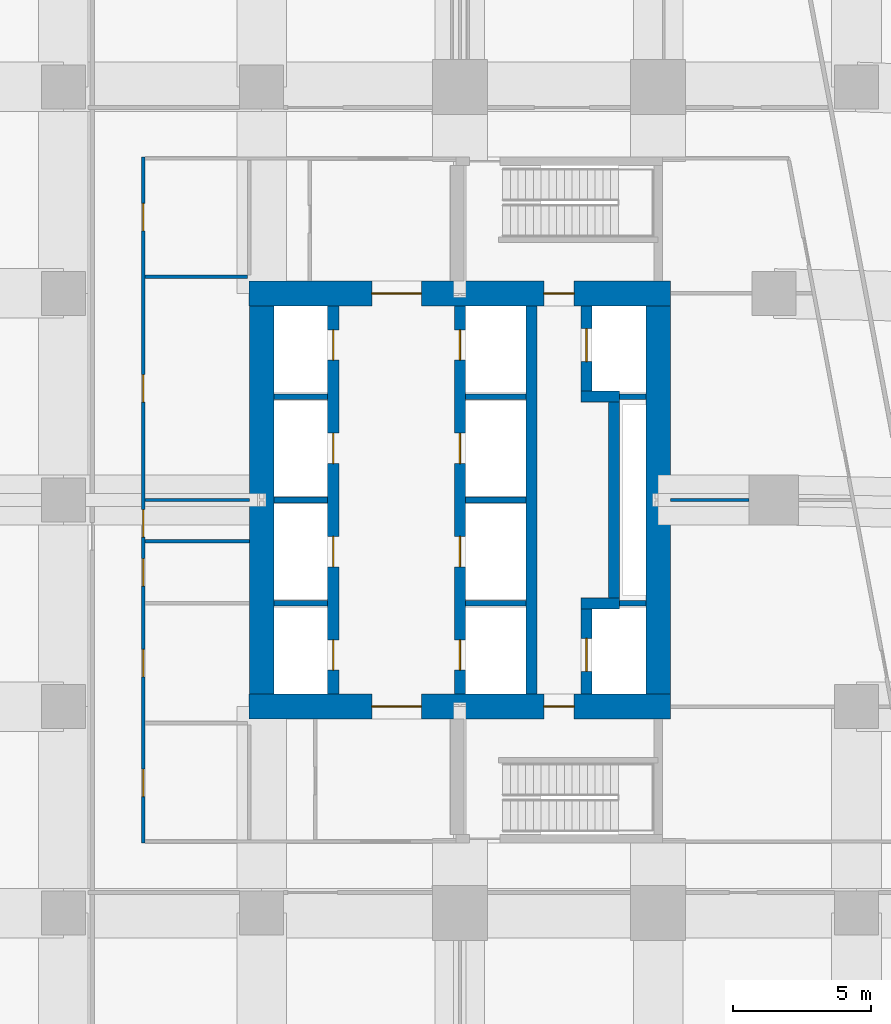
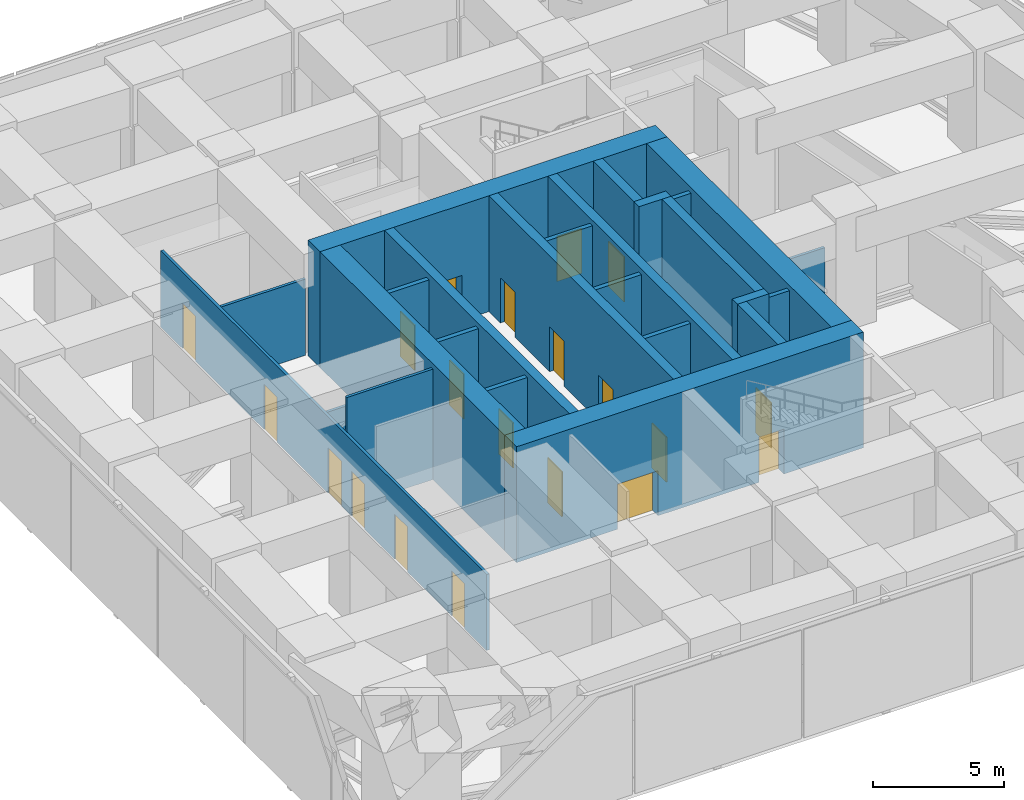
# One storey, part 5 of 10: 25 walls, 20 doors, 20 openings.
"""IFC4 building model written with IfcOpenShell, lengths in metres."""

from ifc_helpers import new_model, si_unit, direction, frame, frame_2d, origin, place, context, subcontext, project, spatial, rectangle, extrude, material, layer, layer_set, type_object, element, fill, save


model = new_model("IFC4")

# Units and contexts
model_context = context("Model", 3, precision=1e-05, world=origin(), true_north=direction((0.0, 1.0)))
body_context = subcontext(model_context, "Body", "Model", "MODEL_VIEW")
ifc_project = project(units=[si_unit("LENGTHUNIT", "METRE"), si_unit("AREAUNIT", "SQUARE_METRE"), si_unit("VOLUMEUNIT", "CUBIC_METRE"), si_unit("PLANEANGLEUNIT", "RADIAN"), si_unit("MASSUNIT", "GRAM", prefix="KILO")], contexts=[model_context])

# Site, building, storey
site_placement = place(None, origin())
site = spatial("IfcSite", under=ifc_project, at=site_placement, CompositionType="ELEMENT")
building_placement = place(site_placement, origin())
building = spatial("IfcBuilding", under=site, at=building_placement, Name="Sheger Commons Tower", CompositionType="ELEMENT")
storey_placement = place(building_placement, frame((0.0, 0.0, 130.39990234375)))
storey = spatial("IfcBuildingStorey", under=building, at=storey_placement, Name="L33", CompositionType="ELEMENT", Elevation=130.39990234375)

# Wall, openings, doors
ifc_material_1 = material(Name="Concrete C50/60", Category="concrete")
ifc_layer_1 = layer(ifc_material_1, 0.39990234375)
ifc_layer_set_1 = layer_set([ifc_layer_1], Name="CORE INNER WALL 400")
wall_type_1 = type_object("IfcWallType", Name="CORE INNER WALL 400", PredefinedType="SHEAR", material=ifc_layer_set_1)
wall_1_placement = place(storey_placement, frame((17.0, 15.449951171875, 0.0), z_axis=(0.0, 0.0, 1.0), x_axis=(0.0, 1.0, 0.0)))
wall_1 = element("IfcWall", 1, at=wall_1_placement, inside=storey, type_object=wall_type_1, Name="Core inner wall A L33", PredefinedType="SHEAR", context=body_context, shape_type="SweptSolid", body=[
    extrude(rectangle(XDim=14.10009765625, YDim=0.39990234375, at=frame_2d((7.050048828125, 0.0))), origin(), (0.0, 0.0, 1.0), 5.400146484375),
])
opening_1_placement = place(wall_1_placement, frame((0.875, 0.0, 0.0)))
opening_1 = element("IfcOpeningElement", 2, at=opening_1_placement, cuts=wall_1, Name="Opening LD", PredefinedType="OPENING", context=body_context, shape_type="SweptSolid", body=[
    extrude(rectangle(XDim=1.10009765625, YDim=2.10009765625, at=frame_2d((0.550048828125, 1.050048828125))), frame((0.0, 0.2099609375, 0.0), z_axis=(0.0, -1.0, 0.0), x_axis=(1.0, 0.0, 0.0)), (0.0, 0.0, 1.0), 0.419921875),
])
opening_2_placement = place(wall_1_placement, frame((4.625, 0.0, 0.0)))
opening_2 = element("IfcOpeningElement", 3, at=opening_2_placement, cuts=wall_1, Name="Opening LD", PredefinedType="OPENING", context=body_context, shape_type="SweptSolid", body=[
    extrude(rectangle(XDim=1.10009765625, YDim=2.10009765625, at=frame_2d((0.550048828125, 1.050048828125))), frame((0.0, 0.2099609375, 0.0), z_axis=(0.0, -1.0, 0.0), x_axis=(1.0, 0.0, 0.0)), (0.0, 0.0, 1.0), 0.419921875),
])
opening_3_placement = place(wall_1_placement, frame((8.375, 0.0, 0.0)))
opening_3 = element("IfcOpeningElement", 4, at=opening_3_placement, cuts=wall_1, Name="Opening LD", PredefinedType="OPENING", context=body_context, shape_type="SweptSolid", body=[
    extrude(rectangle(XDim=1.10009765625, YDim=2.10009765625, at=frame_2d((0.550048828125, 1.050048828125))), frame((0.0, 0.2099609375, 0.0), z_axis=(0.0, -1.0, 0.0), x_axis=(1.0, 0.0, 0.0)), (0.0, 0.0, 1.0), 0.419921875),
])
opening_4_placement = place(wall_1_placement, frame((12.125, 0.0, 0.0)))
opening_4 = element("IfcOpeningElement", 5, at=opening_4_placement, cuts=wall_1, Name="Opening LD", PredefinedType="OPENING", context=body_context, shape_type="SweptSolid", body=[
    extrude(rectangle(XDim=1.10009765625, YDim=2.10009765625, at=frame_2d((0.550048828125, 1.050048828125))), frame((0.0, 0.2099609375, 0.0), z_axis=(0.0, -1.0, 0.0), x_axis=(1.0, 0.0, 0.0)), (0.0, 0.0, 1.0), 0.419921875),
])
ifc_material_2 = material(Name="Steel door set, fire rated", Category="steel")
door_type_1 = type_object("IfcDoorType", Name="LIFT LANDING DOOR 1100x2100", OperationType="DOUBLE_DOOR_SLIDING", PredefinedType="DOOR", material=ifc_material_2)
door_1_placement = place(opening_1_placement, origin())
door_1 = element("IfcDoor", 6, at=door_1_placement, inside=storey, type_object=door_type_1, Name="Lift LA1 landing door", OperationType="DOUBLE_DOOR_SLIDING", OverallHeight=2.10009765625, OverallWidth=1.10009765625, PredefinedType="DOOR", context=body_context, shape_type="SweptSolid", body=[
    extrude(rectangle(XDim=1.10009765625, YDim=2.10009765625, at=frame_2d((0.550048828125, 1.050048828125))), frame((0.0, 0.02490234375, 0.0), z_axis=(0.0, -1.0, 0.0), x_axis=(1.0, 0.0, 0.0)), (0.0, 0.0, 1.0), 0.050048828125),
])
fill(opening_1, door_1)
door_2_placement = place(opening_2_placement, origin())
door_2 = element("IfcDoor", 7, at=door_2_placement, inside=storey, type_object=door_type_1, Name="Lift LA2 landing door", OperationType="DOUBLE_DOOR_SLIDING", OverallHeight=2.10009765625, OverallWidth=1.10009765625, PredefinedType="DOOR", context=body_context, shape_type="SweptSolid", body=[
    extrude(rectangle(XDim=1.10009765625, YDim=2.10009765625, at=frame_2d((0.550048828125, 1.050048828125))), frame((0.0, 0.02490234375, 0.0), z_axis=(0.0, -1.0, 0.0), x_axis=(1.0, 0.0, 0.0)), (0.0, 0.0, 1.0), 0.050048828125),
])
fill(opening_2, door_2)
door_3_placement = place(opening_3_placement, origin())
door_3 = element("IfcDoor", 8, at=door_3_placement, inside=storey, type_object=door_type_1, Name="Lift LA3 landing door", OperationType="DOUBLE_DOOR_SLIDING", OverallHeight=2.10009765625, OverallWidth=1.10009765625, PredefinedType="DOOR", context=body_context, shape_type="SweptSolid", body=[
    extrude(rectangle(XDim=1.10009765625, YDim=2.10009765625, at=frame_2d((0.550048828125, 1.050048828125))), frame((0.0, 0.02490234375, 0.0), z_axis=(0.0, -1.0, 0.0), x_axis=(1.0, 0.0, 0.0)), (0.0, 0.0, 1.0), 0.050048828125),
])
fill(opening_3, door_3)
door_4_placement = place(opening_4_placement, origin())
door_4 = element("IfcDoor", 9, at=door_4_placement, inside=storey, type_object=door_type_1, Name="Lift LA4 landing door", OperationType="DOUBLE_DOOR_SLIDING", OverallHeight=2.10009765625, OverallWidth=1.10009765625, PredefinedType="DOOR", context=body_context, shape_type="SweptSolid", body=[
    extrude(rectangle(XDim=1.10009765625, YDim=2.10009765625, at=frame_2d((0.550048828125, 1.050048828125))), frame((0.0, 0.02490234375, 0.0), z_axis=(0.0, -1.0, 0.0), x_axis=(1.0, 0.0, 0.0)), (0.0, 0.0, 1.0), 0.050048828125),
])
fill(opening_4, door_4)

wall_2_placement = place(storey_placement, frame((21.60009765625, 15.449951171875, 0.0), z_axis=(0.0, 0.0, 1.0), x_axis=(0.0, 1.0, 0.0)))
wall_2 = element("IfcWall", 10, at=wall_2_placement, inside=storey, type_object=wall_type_1, Name="Core inner wall L L33", PredefinedType="SHEAR", context=body_context, shape_type="SweptSolid", body=[
    extrude(rectangle(XDim=14.10009765625, YDim=0.39990234375, at=frame_2d((7.050048828125, 0.0))), origin(), (0.0, 0.0, 1.0), 5.400146484375),
])
opening_5_placement = place(wall_2_placement, frame((0.875, 0.0, 0.0)))
opening_5 = element("IfcOpeningElement", 11, at=opening_5_placement, cuts=wall_2, Name="Opening LD", PredefinedType="OPENING", context=body_context, shape_type="SweptSolid", body=[
    extrude(rectangle(XDim=1.10009765625, YDim=2.10009765625, at=frame_2d((0.550048828125, 1.050048828125))), frame((0.0, 0.2099609375, 0.0), z_axis=(0.0, -1.0, 0.0), x_axis=(1.0, 0.0, 0.0)), (0.0, 0.0, 1.0), 0.419921875),
])
opening_6_placement = place(wall_2_placement, frame((4.625, 0.0, 0.0)))
opening_6 = element("IfcOpeningElement", 12, at=opening_6_placement, cuts=wall_2, Name="Opening LD", PredefinedType="OPENING", context=body_context, shape_type="SweptSolid", body=[
    extrude(rectangle(XDim=1.10009765625, YDim=2.10009765625, at=frame_2d((0.550048828125, 1.050048828125))), frame((0.0, 0.2099609375, 0.0), z_axis=(0.0, -1.0, 0.0), x_axis=(1.0, 0.0, 0.0)), (0.0, 0.0, 1.0), 0.419921875),
])
opening_7_placement = place(wall_2_placement, frame((8.375, 0.0, 0.0)))
opening_7 = element("IfcOpeningElement", 13, at=opening_7_placement, cuts=wall_2, Name="Opening LD", PredefinedType="OPENING", context=body_context, shape_type="SweptSolid", body=[
    extrude(rectangle(XDim=1.10009765625, YDim=2.10009765625, at=frame_2d((0.550048828125, 1.050048828125))), frame((0.0, 0.2099609375, 0.0), z_axis=(0.0, -1.0, 0.0), x_axis=(1.0, 0.0, 0.0)), (0.0, 0.0, 1.0), 0.419921875),
])
opening_8_placement = place(wall_2_placement, frame((12.125, 0.0, 0.0)))
opening_8 = element("IfcOpeningElement", 14, at=opening_8_placement, cuts=wall_2, Name="Opening LD", PredefinedType="OPENING", context=body_context, shape_type="SweptSolid", body=[
    extrude(rectangle(XDim=1.10009765625, YDim=2.10009765625, at=frame_2d((0.550048828125, 1.050048828125))), frame((0.0, 0.2099609375, 0.0), z_axis=(0.0, -1.0, 0.0), x_axis=(1.0, 0.0, 0.0)), (0.0, 0.0, 1.0), 0.419921875),
])
door_5_placement = place(opening_5_placement, origin())
door_5 = element("IfcDoor", 15, at=door_5_placement, inside=storey, type_object=door_type_1, Name="Lift LB1 landing door", OperationType="DOUBLE_DOOR_SLIDING", OverallHeight=2.10009765625, OverallWidth=1.10009765625, PredefinedType="DOOR", context=body_context, shape_type="SweptSolid", body=[
    extrude(rectangle(XDim=1.10009765625, YDim=2.10009765625, at=frame_2d((0.550048828125, 1.050048828125))), frame((0.0, 0.02490234375, 0.0), z_axis=(0.0, -1.0, 0.0), x_axis=(1.0, 0.0, 0.0)), (0.0, 0.0, 1.0), 0.050048828125),
])
fill(opening_5, door_5)
door_6_placement = place(opening_6_placement, origin())
door_6 = element("IfcDoor", 16, at=door_6_placement, inside=storey, type_object=door_type_1, Name="Lift LB2 landing door", OperationType="DOUBLE_DOOR_SLIDING", OverallHeight=2.10009765625, OverallWidth=1.10009765625, PredefinedType="DOOR", context=body_context, shape_type="SweptSolid", body=[
    extrude(rectangle(XDim=1.10009765625, YDim=2.10009765625, at=frame_2d((0.550048828125, 1.050048828125))), frame((0.0, 0.02490234375, 0.0), z_axis=(0.0, -1.0, 0.0), x_axis=(1.0, 0.0, 0.0)), (0.0, 0.0, 1.0), 0.050048828125),
])
fill(opening_6, door_6)
door_7_placement = place(opening_7_placement, origin())
door_7 = element("IfcDoor", 17, at=door_7_placement, inside=storey, type_object=door_type_1, Name="Lift LB3 landing door", OperationType="DOUBLE_DOOR_SLIDING", OverallHeight=2.10009765625, OverallWidth=1.10009765625, PredefinedType="DOOR", context=body_context, shape_type="SweptSolid", body=[
    extrude(rectangle(XDim=1.10009765625, YDim=2.10009765625, at=frame_2d((0.550048828125, 1.050048828125))), frame((0.0, 0.02490234375, 0.0), z_axis=(0.0, -1.0, 0.0), x_axis=(1.0, 0.0, 0.0)), (0.0, 0.0, 1.0), 0.050048828125),
])
fill(opening_7, door_7)
door_8_placement = place(opening_8_placement, origin())
door_8 = element("IfcDoor", 18, at=door_8_placement, inside=storey, type_object=door_type_1, Name="Lift LB4 landing door", OperationType="DOUBLE_DOOR_SLIDING", OverallHeight=2.10009765625, OverallWidth=1.10009765625, PredefinedType="DOOR", context=body_context, shape_type="SweptSolid", body=[
    extrude(rectangle(XDim=1.10009765625, YDim=2.10009765625, at=frame_2d((0.550048828125, 1.050048828125))), frame((0.0, 0.02490234375, 0.0), z_axis=(0.0, -1.0, 0.0), x_axis=(1.0, 0.0, 0.0)), (0.0, 0.0, 1.0), 0.050048828125),
])
fill(opening_8, door_8)

# Wall
wall_3_placement = place(storey_placement, frame((24.199951171875, 15.449951171875, 0.0), z_axis=(0.0, 0.0, 1.0), x_axis=(0.0, 1.0, 0.0)))
element("IfcWall", 19, at=wall_3_placement, inside=storey, type_object=wall_type_1, Name="Core inner wall B L33", PredefinedType="SHEAR", context=body_context, shape_type="SweptSolid", body=[
    extrude(rectangle(XDim=14.10009765625, YDim=0.39990234375, at=frame_2d((7.050048828125, 0.0))), origin(), (0.0, 0.0, 1.0), 5.400146484375),
])

# Wall, opening, door
wall_4_placement = place(storey_placement, frame((26.199951171875, 15.449951171875, 0.0), z_axis=(0.0, 0.0, 1.0), x_axis=(0.0, 1.0, 0.0)))
wall_4 = element("IfcWall", 20, at=wall_4_placement, inside=storey, type_object=wall_type_1, Name="Core inner wall F L33", PredefinedType="SHEAR", context=body_context, shape_type="SweptSolid", body=[
    extrude(rectangle(XDim=3.10009765625, YDim=0.39990234375, at=frame_2d((1.550048828125, 0.0))), origin(), (0.0, 0.0, 1.0), 5.400146484375),
])
opening_9_placement = place(wall_4_placement, frame((0.824951171875, 0.0, 0.0)))
opening_9 = element("IfcOpeningElement", 21, at=opening_9_placement, cuts=wall_4, Name="Opening LD2", PredefinedType="OPENING", context=body_context, shape_type="SweptSolid", body=[
    extrude(rectangle(XDim=1.199951171875, YDim=2.10009765625, at=frame_2d((0.60009765625, 1.050048828125))), frame((0.0, 0.2099609375, 0.0), z_axis=(0.0, -1.0, 0.0), x_axis=(1.0, 0.0, 0.0)), (0.0, 0.0, 1.0), 0.419921875),
])
ifc_material_3 = material(Name="Steel door set, fire rated", Category="steel")
door_type_2 = type_object("IfcDoorType", Name="FIREFIGHTING LIFT LANDING DOOR 1200x2100", OperationType="DOUBLE_DOOR_SLIDING", PredefinedType="DOOR", material=ifc_material_3)
door_9_placement = place(opening_9_placement, origin())
door_9 = element("IfcDoor", 22, at=door_9_placement, inside=storey, type_object=door_type_2, Name="Lift FL1 landing door", OperationType="DOUBLE_DOOR_SLIDING", OverallHeight=2.10009765625, OverallWidth=1.199951171875, PredefinedType="DOOR", context=body_context, shape_type="SweptSolid", body=[
    extrude(rectangle(XDim=1.199951171875, YDim=2.10009765625, at=frame_2d((0.60009765625, 1.050048828125))), frame((0.0, 0.02490234375, 0.0), z_axis=(0.0, -1.0, 0.0), x_axis=(1.0, 0.0, 0.0)), (0.0, 0.0, 1.0), 0.050048828125),
])
fill(opening_9, door_9)

# Walls
wall_5_placement = place(storey_placement, frame((26.0, 18.75, 0.0), z_axis=(0.0, 0.0, 1.0), x_axis=(1.0, 0.0, 0.0)))
element("IfcWall", 23, at=wall_5_placement, inside=storey, type_object=wall_type_1, Name="Core inner wall F south return L33", PredefinedType="SHEAR", context=body_context, shape_type="SweptSolid", body=[
    extrude(rectangle(XDim=1.39990234375, YDim=0.39990234375, at=frame_2d((0.699951171875, 0.0))), origin(), (0.0, 0.0, 1.0), 5.400146484375),
])
wall_6_placement = place(storey_placement, frame((27.199951171875, 18.949951171875, 0.0), z_axis=(0.0, 0.0, 1.0), x_axis=(0.0, 1.0, 0.0)))
element("IfcWall", 24, at=wall_6_placement, inside=storey, type_object=wall_type_1, Name="Core inner wall F middle L33", PredefinedType="SHEAR", context=body_context, shape_type="SweptSolid", body=[
    extrude(rectangle(XDim=7.10009765625, YDim=0.39990234375, at=frame_2d((3.550048828125, 0.0))), origin(), (0.0, 0.0, 1.0), 5.400146484375),
])
wall_7_placement = place(storey_placement, frame((26.0, 26.25, 0.0), z_axis=(0.0, 0.0, 1.0), x_axis=(1.0, 0.0, 0.0)))
element("IfcWall", 25, at=wall_7_placement, inside=storey, type_object=wall_type_1, Name="Core inner wall F north return L33", PredefinedType="SHEAR", context=body_context, shape_type="SweptSolid", body=[
    extrude(rectangle(XDim=1.39990234375, YDim=0.39990234375, at=frame_2d((0.699951171875, 0.0))), origin(), (0.0, 0.0, 1.0), 5.400146484375),
])

# Wall, opening, door
wall_8_placement = place(storey_placement, frame((26.199951171875, 26.449951171875, 0.0), z_axis=(0.0, 0.0, 1.0), x_axis=(0.0, 1.0, 0.0)))
wall_8 = element("IfcWall", 26, at=wall_8_placement, inside=storey, type_object=wall_type_1, Name="Core inner wall F north L33", PredefinedType="SHEAR", context=body_context, shape_type="SweptSolid", body=[
    extrude(rectangle(XDim=3.10009765625, YDim=0.39990234375, at=frame_2d((1.550048828125, 0.0))), origin(), (0.0, 0.0, 1.0), 5.400146484375),
])
opening_10_placement = place(wall_8_placement, frame((1.074951171875, 0.0, 0.0)))
opening_10 = element("IfcOpeningElement", 27, at=opening_10_placement, cuts=wall_8, Name="Opening LD2", PredefinedType="OPENING", context=body_context, shape_type="SweptSolid", body=[
    extrude(rectangle(XDim=1.199951171875, YDim=2.10009765625, at=frame_2d((0.60009765625, 1.050048828125))), frame((0.0, 0.2099609375, 0.0), z_axis=(0.0, -1.0, 0.0), x_axis=(1.0, 0.0, 0.0)), (0.0, 0.0, 1.0), 0.419921875),
])
door_10_placement = place(opening_10_placement, origin())
door_10 = element("IfcDoor", 28, at=door_10_placement, inside=storey, type_object=door_type_2, Name="Lift FL2 landing door", OperationType="DOUBLE_DOOR_SLIDING", OverallHeight=2.10009765625, OverallWidth=1.199951171875, PredefinedType="DOOR", context=body_context, shape_type="SweptSolid", body=[
    extrude(rectangle(XDim=1.199951171875, YDim=2.10009765625, at=frame_2d((0.60009765625, 1.050048828125))), frame((0.0, 0.02490234375, 0.0), z_axis=(0.0, -1.0, 0.0), x_axis=(1.0, 0.0, 0.0)), (0.0, 0.0, 1.0), 0.050048828125),
])
fill(opening_10, door_10)

# Wall, openings, doors
ifc_material_4 = material(Name="Concrete C50/60", Category="concrete")
ifc_layer_2 = layer(ifc_material_4, 0.89990234375)
ifc_layer_set_2 = layer_set([ifc_layer_2], Name="CORE WALL 900")
wall_type_2 = type_object("IfcWallType", Name="CORE WALL 900", PredefinedType="SHEAR", material=ifc_layer_set_2)
wall_9_placement = place(storey_placement, frame((13.949951171875, 15.0, 0.0), z_axis=(0.0, 0.0, 1.0), x_axis=(1.0, 0.0, 0.0)))
wall_9 = element("IfcWall", 29, at=wall_9_placement, inside=storey, type_object=wall_type_2, Name="Core wall south L33", PredefinedType="SHEAR", context=body_context, shape_type="SweptSolid", body=[
    extrude(rectangle(XDim=15.300048828125, YDim=0.89990234375, at=frame_2d((7.64990234375, 0.0))), origin(), (0.0, 0.0, 1.0), 5.400146484375),
])
opening_11_placement = place(wall_9_placement, frame((4.449951171875, 0.0, 0.0)))
opening_11 = element("IfcOpeningElement", 30, at=opening_11_placement, cuts=wall_9, Name="Opening D6", PredefinedType="OPENING", context=body_context, shape_type="SweptSolid", body=[
    extrude(rectangle(XDim=1.800048828125, YDim=2.10009765625, at=frame_2d((0.89990234375, 1.050048828125))), frame((0.0, 0.4599609375, 0.0), z_axis=(0.0, -1.0, 0.0), x_axis=(1.0, 0.0, 0.0)), (0.0, 0.0, 1.0), 0.919921875),
])
opening_12_placement = place(wall_9_placement, frame((10.699951171875, 0.0, 0.0)))
opening_12 = element("IfcOpeningElement", 31, at=opening_12_placement, cuts=wall_9, Name="Opening D5", PredefinedType="OPENING", context=body_context, shape_type="SweptSolid", body=[
    extrude(rectangle(XDim=1.10009765625, YDim=2.10009765625, at=frame_2d((0.550048828125, 1.050048828125))), frame((0.0, 0.4599609375, 0.0), z_axis=(0.0, -1.0, 0.0), x_axis=(1.0, 0.0, 0.0)), (0.0, 0.0, 1.0), 0.919921875),
])
ifc_material_5 = material(Name="Steel door set, fire rated", Category="steel")
door_type_3 = type_object("IfcDoorType", Name="LOBBY DOUBLE DOOR 1800x2100", OperationType="DOUBLE_DOOR_SINGLE_SWING", PredefinedType="DOOR", material=ifc_material_5)
door_11_placement = place(opening_11_placement, origin())
door_11 = element("IfcDoor", 32, at=door_11_placement, inside=storey, type_object=door_type_3, Name="Lift lobby door", OperationType="DOUBLE_DOOR_SINGLE_SWING", OverallHeight=2.10009765625, OverallWidth=1.800048828125, PredefinedType="DOOR", context=body_context, shape_type="SweptSolid", body=[
    extrude(rectangle(XDim=1.800048828125, YDim=2.10009765625, at=frame_2d((0.89990234375, 1.050048828125))), frame((0.0, 0.02490234375, 0.0), z_axis=(0.0, -1.0, 0.0), x_axis=(1.0, 0.0, 0.0)), (0.0, 0.0, 1.0), 0.050048828125),
])
fill(opening_11, door_11)
ifc_material_6 = material(Name="Steel door set, fire rated", Category="steel")
door_type_4 = type_object("IfcDoorType", Name="STAIR DOOR 1100x2100", OperationType="NOTDEFINED", PredefinedType="DOOR", material=ifc_material_6)
door_12_placement = place(opening_12_placement, origin())
door_12 = element("IfcDoor", 33, at=door_12_placement, inside=storey, type_object=door_type_4, Name="Fire-fighting lobby door", OperationType="SINGLE_SWING_RIGHT", OverallHeight=2.10009765625, OverallWidth=1.10009765625, PredefinedType="DOOR", context=body_context, shape_type="SweptSolid", body=[
    extrude(rectangle(XDim=1.10009765625, YDim=2.10009765625, at=frame_2d((0.550048828125, 1.050048828125))), frame((0.0, 0.02490234375, 0.0), z_axis=(0.0, -1.0, 0.0), x_axis=(1.0, 0.0, 0.0)), (0.0, 0.0, 1.0), 0.050048828125),
])
fill(opening_12, door_12)

wall_10_placement = place(storey_placement, frame((13.949951171875, 30.0, 0.0), z_axis=(0.0, 0.0, 1.0), x_axis=(1.0, 0.0, 0.0)))
wall_10 = element("IfcWall", 34, at=wall_10_placement, inside=storey, type_object=wall_type_2, Name="Core wall north L33", PredefinedType="SHEAR", context=body_context, shape_type="SweptSolid", body=[
    extrude(rectangle(XDim=15.300048828125, YDim=0.89990234375, at=frame_2d((7.64990234375, 0.0))), origin(), (0.0, 0.0, 1.0), 5.400146484375),
])
opening_13_placement = place(wall_10_placement, frame((4.449951171875, 0.0, 0.0)))
opening_13 = element("IfcOpeningElement", 35, at=opening_13_placement, cuts=wall_10, Name="Opening D6", PredefinedType="OPENING", context=body_context, shape_type="SweptSolid", body=[
    extrude(rectangle(XDim=1.800048828125, YDim=2.10009765625, at=frame_2d((0.89990234375, 1.050048828125))), frame((0.0, 0.4599609375, 0.0), z_axis=(0.0, -1.0, 0.0), x_axis=(1.0, 0.0, 0.0)), (0.0, 0.0, 1.0), 0.919921875),
])
opening_14_placement = place(wall_10_placement, frame((10.699951171875, 0.0, 0.0)))
opening_14 = element("IfcOpeningElement", 36, at=opening_14_placement, cuts=wall_10, Name="Opening D5", PredefinedType="OPENING", context=body_context, shape_type="SweptSolid", body=[
    extrude(rectangle(XDim=1.10009765625, YDim=2.10009765625, at=frame_2d((0.550048828125, 1.050048828125))), frame((0.0, 0.4599609375, 0.0), z_axis=(0.0, -1.0, 0.0), x_axis=(1.0, 0.0, 0.0)), (0.0, 0.0, 1.0), 0.919921875),
])
door_13_placement = place(opening_13_placement, origin())
door_13 = element("IfcDoor", 37, at=door_13_placement, inside=storey, type_object=door_type_3, Name="Lift lobby door", OperationType="DOUBLE_DOOR_SINGLE_SWING", OverallHeight=2.10009765625, OverallWidth=1.800048828125, PredefinedType="DOOR", context=body_context, shape_type="SweptSolid", body=[
    extrude(rectangle(XDim=1.800048828125, YDim=2.10009765625, at=frame_2d((0.89990234375, 1.050048828125))), frame((0.0, 0.02490234375, 0.0), z_axis=(0.0, -1.0, 0.0), x_axis=(1.0, 0.0, 0.0)), (0.0, 0.0, 1.0), 0.050048828125),
])
fill(opening_13, door_13)
door_14_placement = place(opening_14_placement, origin())
door_14 = element("IfcDoor", 38, at=door_14_placement, inside=storey, type_object=door_type_4, Name="Fire-fighting lobby door", OperationType="SINGLE_SWING_RIGHT", OverallHeight=2.10009765625, OverallWidth=1.10009765625, PredefinedType="DOOR", context=body_context, shape_type="SweptSolid", body=[
    extrude(rectangle(XDim=1.10009765625, YDim=2.10009765625, at=frame_2d((0.550048828125, 1.050048828125))), frame((0.0, 0.02490234375, 0.0), z_axis=(0.0, -1.0, 0.0), x_axis=(1.0, 0.0, 0.0)), (0.0, 0.0, 1.0), 0.050048828125),
])
fill(opening_14, door_14)

# Walls
for number, where, z_axis, x_axis, name in (
    (39, (14.39990234375, 15.449951171875, 0.0), (0.0, 0.0, 1.0), (0.0, 1.0, 0.0), "Core wall west L33"),
    (40, (28.800048828125, 15.449951171875, 0.0), (0.0, 0.0, 1.0), (0.0, 1.0, 0.0), "Core wall east L33"),
):
    element("IfcWall", number, at=place(storey_placement, frame(where, z_axis=z_axis, x_axis=x_axis)), inside=storey, type_object=wall_type_2, Name=name, PredefinedType="SHEAR", context=body_context, shape_type="SweptSolid", body=[
        extrude(rectangle(XDim=14.10009765625, YDim=0.89990234375, at=frame_2d((7.050048828125, 0.0))), origin(), (0.0, 0.0, 1.0), 5.400146484375),
    ])

# Wall, openings, doors
ifc_material_7 = material(Name="Gypsum board on steel studs, two layers each side, fire rated", Category="steel")
ifc_layer_3 = layer(ifc_material_7, 0.125)
ifc_layer_set_3 = layer_set([ifc_layer_3], Name="SERVICE WALL 125")
wall_type_3 = type_object("IfcWallType", Name="SERVICE WALL 125", PredefinedType="PARTITIONING", material=ifc_layer_set_3)
wall_11_placement = place(storey_placement, frame((10.10009765625, 10.050048828125, 0.0), z_axis=(0.0, 0.0, 1.0), x_axis=(0.0, 1.0, 0.0)))
wall_11 = element("IfcWall", 41, at=wall_11_placement, inside=storey, type_object=wall_type_3, Name="Service room wall L33", PredefinedType="PARTITIONING", context=body_context, shape_type="SweptSolid", body=[
    extrude(rectangle(XDim=24.89990234375, YDim=0.125, at=frame_2d((12.449951171875, 0.0))), origin(), (0.0, 0.0, 1.0), 3.550048828125),
])
opening_15_placement = place(wall_11_placement, frame((1.675048828125, 0.0, 0.0)))
opening_15 = element("IfcOpeningElement", 42, at=opening_15_placement, cuts=wall_11, Name="Opening D4", PredefinedType="OPENING", context=body_context, shape_type="SweptSolid", body=[
    extrude(rectangle(XDim=1.0, YDim=2.10009765625, at=frame_2d((0.5, 1.050048828125))), frame((0.0, 0.072509765625, 0.0), z_axis=(0.0, -1.0, 0.0), x_axis=(1.0, 0.0, 0.0)), (0.0, 0.0, 1.0), 0.14501953125),
])
opening_16_placement = place(wall_11_placement, frame((16.0, 0.0, 0.0)))
opening_16 = element("IfcOpeningElement", 43, at=opening_16_placement, cuts=wall_11, Name="Opening D4", PredefinedType="OPENING", context=body_context, shape_type="SweptSolid", body=[
    extrude(rectangle(XDim=1.0, YDim=2.10009765625, at=frame_2d((0.5, 1.050048828125))), frame((0.0, 0.072509765625, 0.0), z_axis=(0.0, -1.0, 0.0), x_axis=(1.0, 0.0, 0.0)), (0.0, 0.0, 1.0), 0.14501953125),
])
opening_17_placement = place(wall_11_placement, frame((22.22509765625, 0.0, 0.0)))
opening_17 = element("IfcOpeningElement", 44, at=opening_17_placement, cuts=wall_11, Name="Opening D4", PredefinedType="OPENING", context=body_context, shape_type="SweptSolid", body=[
    extrude(rectangle(XDim=1.0, YDim=2.10009765625, at=frame_2d((0.5, 1.050048828125))), frame((0.0, 0.072509765625, 0.0), z_axis=(0.0, -1.0, 0.0), x_axis=(1.0, 0.0, 0.0)), (0.0, 0.0, 1.0), 0.14501953125),
])
opening_18_placement = place(wall_11_placement, frame((6.02490234375, 0.0, 0.0)))
opening_18 = element("IfcOpeningElement", 45, at=opening_18_placement, cuts=wall_11, Name="Opening D4", PredefinedType="OPENING", context=body_context, shape_type="SweptSolid", body=[
    extrude(rectangle(XDim=1.0, YDim=2.10009765625, at=frame_2d((0.5, 1.050048828125))), frame((0.0, 0.072509765625, 0.0), z_axis=(0.0, -1.0, 0.0), x_axis=(1.0, 0.0, 0.0)), (0.0, 0.0, 1.0), 0.14501953125),
])
opening_19_placement = place(wall_11_placement, frame((9.324951171875, 0.0, 0.0)))
opening_19 = element("IfcOpeningElement", 46, at=opening_19_placement, cuts=wall_11, Name="Opening D4", PredefinedType="OPENING", context=body_context, shape_type="SweptSolid", body=[
    extrude(rectangle(XDim=1.0, YDim=2.10009765625, at=frame_2d((0.5, 1.050048828125))), frame((0.0, 0.072509765625, 0.0), z_axis=(0.0, -1.0, 0.0), x_axis=(1.0, 0.0, 0.0)), (0.0, 0.0, 1.0), 0.14501953125),
])
opening_20_placement = place(wall_11_placement, frame((11.10009765625, 0.0, 0.0)))
opening_20 = element("IfcOpeningElement", 47, at=opening_20_placement, cuts=wall_11, Name="Opening D4", PredefinedType="OPENING", context=body_context, shape_type="SweptSolid", body=[
    extrude(rectangle(XDim=1.0, YDim=2.10009765625, at=frame_2d((0.5, 1.050048828125))), frame((0.0, 0.072509765625, 0.0), z_axis=(0.0, -1.0, 0.0), x_axis=(1.0, 0.0, 0.0)), (0.0, 0.0, 1.0), 0.14501953125),
])
ifc_material_8 = material(Name="Steel door set, fire rated", Category="steel")
door_type_5 = type_object("IfcDoorType", Name="SERVICE DOOR 1000x2100", OperationType="NOTDEFINED", PredefinedType="DOOR", material=ifc_material_8)
door_15_placement = place(opening_15_placement, origin())
door_15 = element("IfcDoor", 48, at=door_15_placement, inside=storey, type_object=door_type_5, Name="Male WC door", OperationType="SINGLE_SWING_RIGHT", OverallHeight=2.10009765625, OverallWidth=1.0, PredefinedType="DOOR", context=body_context, shape_type="SweptSolid", body=[
    extrude(rectangle(XDim=1.0, YDim=2.10009765625, at=frame_2d((0.5, 1.050048828125))), frame((0.0, 0.02490234375, 0.0), z_axis=(0.0, -1.0, 0.0), x_axis=(1.0, 0.0, 0.0)), (0.0, 0.0, 1.0), 0.050048828125),
])
fill(opening_15, door_15)
door_16_placement = place(opening_16_placement, origin())
door_16 = element("IfcDoor", 49, at=door_16_placement, inside=storey, type_object=door_type_5, Name="Community furniture store door", OperationType="SINGLE_SWING_RIGHT", OverallHeight=2.10009765625, OverallWidth=1.0, PredefinedType="DOOR", context=body_context, shape_type="SweptSolid", body=[
    extrude(rectangle(XDim=1.0, YDim=2.10009765625, at=frame_2d((0.5, 1.050048828125))), frame((0.0, 0.02490234375, 0.0), z_axis=(0.0, -1.0, 0.0), x_axis=(1.0, 0.0, 0.0)), (0.0, 0.0, 1.0), 0.050048828125),
])
fill(opening_16, door_16)
door_17_placement = place(opening_17_placement, origin())
door_17 = element("IfcDoor", 50, at=door_17_placement, inside=storey, type_object=door_type_5, Name="Cleaner's store door", OperationType="SINGLE_SWING_LEFT", OverallHeight=2.10009765625, OverallWidth=1.0, PredefinedType="DOOR", context=body_context, shape_type="SweptSolid", body=[
    extrude(rectangle(XDim=1.0, YDim=2.10009765625, at=frame_2d((0.5, 1.050048828125))), frame((0.0, 0.02490234375, 0.0), z_axis=(0.0, -1.0, 0.0), x_axis=(1.0, 0.0, 0.0)), (0.0, 0.0, 1.0), 0.050048828125),
])
fill(opening_17, door_17)
door_18_placement = place(opening_18_placement, origin())
door_18 = element("IfcDoor", 51, at=door_18_placement, inside=storey, type_object=door_type_5, Name="Female WC door", OperationType="SINGLE_SWING_RIGHT", OverallHeight=2.10009765625, OverallWidth=1.0, PredefinedType="DOOR", context=body_context, shape_type="SweptSolid", body=[
    extrude(rectangle(XDim=1.0, YDim=2.10009765625, at=frame_2d((0.5, 1.050048828125))), frame((0.0, 0.02490234375, 0.0), z_axis=(0.0, -1.0, 0.0), x_axis=(1.0, 0.0, 0.0)), (0.0, 0.0, 1.0), 0.050048828125),
])
fill(opening_18, door_18)
door_19_placement = place(opening_19_placement, origin())
door_19 = element("IfcDoor", 52, at=door_19_placement, inside=storey, type_object=door_type_5, Name="Accessible WC door", OperationType="SINGLE_SWING_LEFT", OverallHeight=2.10009765625, OverallWidth=1.0, PredefinedType="DOOR", context=body_context, shape_type="SweptSolid", body=[
    extrude(rectangle(XDim=1.0, YDim=2.10009765625, at=frame_2d((0.5, 1.050048828125))), frame((0.0, 0.02490234375, 0.0), z_axis=(0.0, -1.0, 0.0), x_axis=(1.0, 0.0, 0.0)), (0.0, 0.0, 1.0), 0.050048828125),
])
fill(opening_19, door_19)
door_20_placement = place(opening_20_placement, origin())
door_20 = element("IfcDoor", 53, at=door_20_placement, inside=storey, type_object=door_type_5, Name="Baby change room door", OperationType="SINGLE_SWING_RIGHT", OverallHeight=2.10009765625, OverallWidth=1.0, PredefinedType="DOOR", context=body_context, shape_type="SweptSolid", body=[
    extrude(rectangle(XDim=1.0, YDim=2.10009765625, at=frame_2d((0.5, 1.050048828125))), frame((0.0, 0.02490234375, 0.0), z_axis=(0.0, -1.0, 0.0), x_axis=(1.0, 0.0, 0.0)), (0.0, 0.0, 1.0), 0.050048828125),
])
fill(opening_20, door_20)

# Walls
wall_12_placement = place(storey_placement, frame((10.1630859375, 22.5, 0.0), z_axis=(0.0, 0.0, 1.0), x_axis=(1.0, 0.0, 0.0)))
element("IfcWall", 54, at=wall_12_placement, inside=storey, type_object=wall_type_3, Name="Service room wall L33", PredefinedType="PARTITIONING", context=body_context, shape_type="SweptSolid", body=[
    extrude(rectangle(XDim=3.786865234375, YDim=0.125, at=frame_2d((1.8935546875, 0.0))), origin(), (0.0, 0.0, 1.0), 3.550048828125),
])
wall_13_placement = place(storey_placement, frame((10.1630859375, 30.60009765625, 0.0), z_axis=(0.0, 0.0, 1.0), x_axis=(1.0, 0.0, 0.0)))
element("IfcWall", 55, at=wall_13_placement, inside=storey, type_object=wall_type_3, Name="Service room wall L33", PredefinedType="PARTITIONING", context=body_context, shape_type="SweptSolid", body=[
    extrude(rectangle(XDim=3.724853515625, YDim=0.125, at=frame_2d((1.8623046875, 0.0))), origin(), (0.0, 0.0, 1.0), 3.550048828125),
])
wall_14_placement = place(storey_placement, frame((29.25, 22.5, 0.0), z_axis=(0.0, 0.0, 1.0), x_axis=(1.0, 0.0, 0.0)))
element("IfcWall", 56, at=wall_14_placement, inside=storey, type_object=wall_type_3, Name="Service room wall L33", PredefinedType="PARTITIONING", context=body_context, shape_type="SweptSolid", body=[
    extrude(rectangle(XDim=2.84912109375, YDim=0.125, at=frame_2d((1.424560546875, 0.0))), origin(), (0.0, 0.0, 1.0), 3.550048828125),
])
wall_15_placement = place(storey_placement, frame((10.1630859375, 21.0, 0.0), z_axis=(0.0, 0.0, 1.0), x_axis=(1.0, 0.0, 0.0)))
element("IfcWall", 57, at=wall_15_placement, inside=storey, type_object=wall_type_3, Name="Service room wall L33", PredefinedType="PARTITIONING", context=body_context, shape_type="SweptSolid", body=[
    extrude(rectangle(XDim=3.786865234375, YDim=0.125, at=frame_2d((1.8935546875, 0.0))), origin(), (0.0, 0.0, 1.0), 5.150146484375),
])
ifc_material_9 = material(Name="Hollow concrete block masonry", Category="masonry")
ifc_layer_4 = layer(ifc_material_9, 0.199951171875)
ifc_layer_set_4 = layer_set([ifc_layer_4], Name="SHAFT WALL 200")
wall_type_4 = type_object("IfcWallType", Name="SHAFT WALL 200", PredefinedType="SOLIDWALL", material=ifc_layer_set_4)
wall_16_placement = place(storey_placement, frame((14.85009765625, 18.75, 0.0), z_axis=(0.0, 0.0, 1.0), x_axis=(1.0, 0.0, 0.0)))
element("IfcWall", 58, at=wall_16_placement, inside=storey, type_object=wall_type_4, Name="Lift shaft wall L33", PredefinedType="SOLIDWALL", context=body_context, shape_type="SweptSolid", body=[
    extrude(rectangle(XDim=1.949951171875, YDim=0.199951171875, at=frame_2d((0.97509765625, 0.0))), origin(), (0.0, 0.0, 1.0), 5.150146484375),
])
wall_17_placement = place(storey_placement, frame((21.800048828125, 18.75, 0.0), z_axis=(0.0, 0.0, 1.0), x_axis=(1.0, 0.0, 0.0)))
element("IfcWall", 59, at=wall_17_placement, inside=storey, type_object=wall_type_4, Name="Lift shaft wall L33", PredefinedType="SOLIDWALL", context=body_context, shape_type="SweptSolid", body=[
    extrude(rectangle(XDim=2.199951171875, YDim=0.199951171875, at=frame_2d((1.10009765625, 0.0))), origin(), (0.0, 0.0, 1.0), 5.150146484375),
])
wall_18_placement = place(storey_placement, frame((14.85009765625, 22.5, 0.0), z_axis=(0.0, 0.0, 1.0), x_axis=(1.0, 0.0, 0.0)))
element("IfcWall", 60, at=wall_18_placement, inside=storey, type_object=wall_type_4, Name="Lift shaft wall L33", PredefinedType="SOLIDWALL", context=body_context, shape_type="SweptSolid", body=[
    extrude(rectangle(XDim=1.949951171875, YDim=0.199951171875, at=frame_2d((0.97509765625, 0.0))), origin(), (0.0, 0.0, 1.0), 5.150146484375),
])
wall_19_placement = place(storey_placement, frame((21.800048828125, 22.5, 0.0), z_axis=(0.0, 0.0, 1.0), x_axis=(1.0, 0.0, 0.0)))
element("IfcWall", 61, at=wall_19_placement, inside=storey, type_object=wall_type_4, Name="Lift shaft wall L33", PredefinedType="SOLIDWALL", context=body_context, shape_type="SweptSolid", body=[
    extrude(rectangle(XDim=2.199951171875, YDim=0.199951171875, at=frame_2d((1.10009765625, 0.0))), origin(), (0.0, 0.0, 1.0), 5.150146484375),
])
wall_20_placement = place(storey_placement, frame((14.85009765625, 26.25, 0.0), z_axis=(0.0, 0.0, 1.0), x_axis=(1.0, 0.0, 0.0)))
element("IfcWall", 62, at=wall_20_placement, inside=storey, type_object=wall_type_4, Name="Lift shaft wall L33", PredefinedType="SOLIDWALL", context=body_context, shape_type="SweptSolid", body=[
    extrude(rectangle(XDim=1.949951171875, YDim=0.199951171875, at=frame_2d((0.97509765625, 0.0))), origin(), (0.0, 0.0, 1.0), 5.150146484375),
])
wall_21_placement = place(storey_placement, frame((21.800048828125, 26.25, 0.0), z_axis=(0.0, 0.0, 1.0), x_axis=(1.0, 0.0, 0.0)))
element("IfcWall", 63, at=wall_21_placement, inside=storey, type_object=wall_type_4, Name="Lift shaft wall L33", PredefinedType="SOLIDWALL", context=body_context, shape_type="SweptSolid", body=[
    extrude(rectangle(XDim=2.199951171875, YDim=0.199951171875, at=frame_2d((1.10009765625, 0.0))), origin(), (0.0, 0.0, 1.0), 5.150146484375),
])
for number, where, z_axis, x_axis, name in (
    (64, (27.39990234375, 18.75, 0.0), (0.0, 0.0, 1.0), (1.0, 0.0, 0.0), "Lift shaft wall L33"),
    (65, (27.39990234375, 26.25, 0.0), (0.0, 0.0, 1.0), (1.0, 0.0, 0.0), "Lift shaft wall L33"),
):
    element("IfcWall", number, at=place(storey_placement, frame(where, z_axis=z_axis, x_axis=x_axis)), inside=storey, type_object=wall_type_4, Name=name, PredefinedType="SOLIDWALL", context=body_context, shape_type="SweptSolid", body=[
        extrude(rectangle(XDim=0.9501953125, YDim=0.199951171875, at=frame_2d((0.47509765625, 0.0))), origin(), (0.0, 0.0, 1.0), 5.150146484375),
    ])

save(model, "model.ifc")
